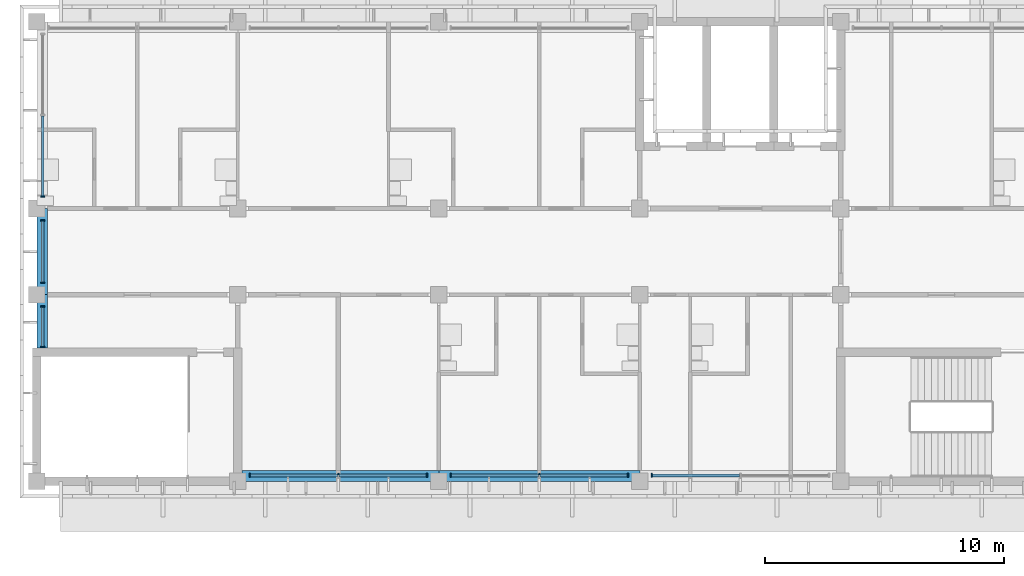
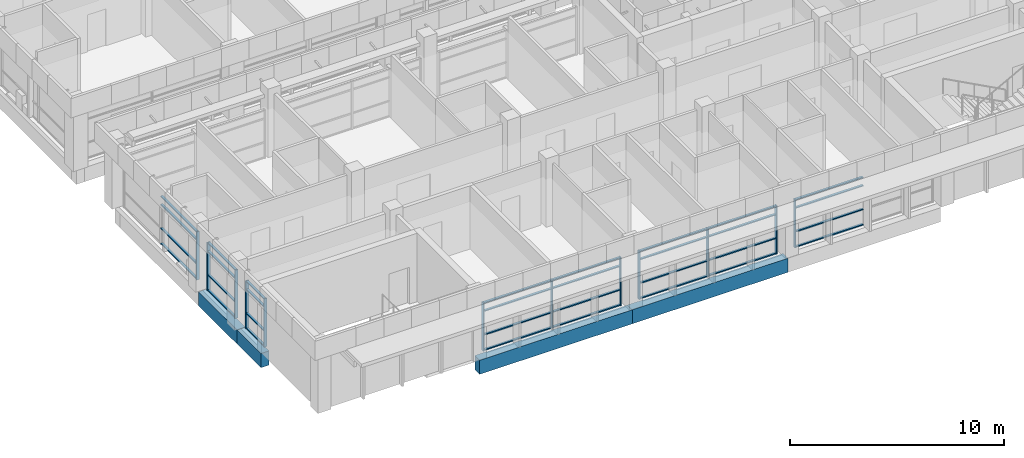
# One storey, part 2 of 71: 44 members, 4 beams, 6 elements without a shape of their own.
"""IFC4 building model written with IfcOpenShell, lengths in metres."""

from ifc_helpers import new_model, si_unit, direction, frame, origin, origin_2d, place, context, subcontext, project, spatial, rectangle, extrude, material, material_profile, profile_set, type_object, element, aggregate, save


model = new_model("IFC4")

# Units and contexts
model_context = context("Model", 3, precision=1e-05, world=origin(), true_north=direction((0.0, 1.0)))
body_context = subcontext(model_context, "Body", "Model", "MODEL_VIEW")
ifc_project = project(units=[si_unit("LENGTHUNIT", "METRE"), si_unit("AREAUNIT", "SQUARE_METRE"), si_unit("VOLUMEUNIT", "CUBIC_METRE"), si_unit("PLANEANGLEUNIT", "RADIAN"), si_unit("MASSUNIT", "GRAM", prefix="KILO")], contexts=[model_context])

# Site, building, storey
site_placement = place(None, origin())
site = spatial("IfcSite", under=ifc_project, at=site_placement, CompositionType="ELEMENT")
building_placement = place(site_placement, origin())
building = spatial("IfcBuilding", under=site, at=building_placement, Name="Bougainvillea Quay General Hospital", CompositionType="ELEMENT")
storey_placement = place(building_placement, frame((0.0, 0.0, 24.89990234375)))
storey = spatial("IfcBuildingStorey", under=building, at=storey_placement, Name="L05", CompositionType="ELEMENT", Elevation=24.89990234375)

# Curtain wall, member
ifc_material_1 = material(Name="Aluminium curtain wall system, powder-coated glazed", Category="aluminium")
curtain_wall_type_1 = type_object("IfcCurtainWallType", Name="Unitised curtain wall CW-3430", PredefinedType="NOTDEFINED", material=ifc_material_1)
curtain_wall_1_placement = place(storey_placement, origin())
curtain_wall_1 = element("IfcCurtainWall", 1, at=curtain_wall_1_placement, inside=storey, type_object=curtain_wall_type_1, Name="CW-4200 00", PredefinedType="NOTDEFINED")
ifc_material_2 = material(Name="Aluminium mullion, powder-coated charcoal", Category="aluminium")
ifc_material_profile_1 = material_profile(ifc_material_2, rectangle(XDim=0.159912109375, YDim=0.06005859375, at=origin_2d()))
ifc_profile_set_1 = profile_set([ifc_material_profile_1], Name="Aluminium mullion, powder-coated charcoal")
member_type_1 = type_object("IfcMemberType", Name="Curtain wall mullion 160x60", PredefinedType="MULLION", material=ifc_profile_set_1)
member_1_placement = place(storey_placement, frame((42.25, 129.5, 0.0), z_axis=(0.0, 0.0, 1.0), x_axis=(1.0, 0.0, 0.0)))
member_1 = element("IfcMember", 2, at=member_1_placement, type_object=member_type_1, Name="CW-4200 mullion 3", PredefinedType="MULLION", context=body_context, shape_type="SweptSolid", body=[
    extrude(rectangle(XDim=0.159912109375, YDim=0.06005859375, at=origin_2d()), origin(), (0.0, 0.0, 1.0), 2.75),
])

# Curtain wall, members
curtain_wall_type_2 = type_object("IfcCurtainWallType", Name="Unitised curtain wall CW-2660", PredefinedType="NOTDEFINED", material=ifc_material_1)
curtain_wall_2_placement = place(storey_placement, origin())
curtain_wall_2 = element("IfcCurtainWall", 3, at=curtain_wall_2_placement, inside=storey, type_object=curtain_wall_type_2, Name="CW-4200 01", PredefinedType="NOTDEFINED")
member_2_placement = place(storey_placement, frame((42.25, 128.5, 0.0), z_axis=(0.0, 0.0, 1.0), x_axis=(1.0, 0.0, 0.0)))
member_2 = element("IfcMember", 4, at=member_2_placement, type_object=member_type_1, Name="CW-4200 mullion 1", PredefinedType="MULLION", context=body_context, shape_type="SweptSolid", body=[
    extrude(rectangle(XDim=0.159912109375, YDim=0.06005859375, at=origin_2d()), origin(), (0.0, 0.0, 1.0), 2.75),
])
member_3_placement = place(storey_placement, frame((42.25, 125.89990234375, 0.0), z_axis=(0.0, 0.0, 1.0), x_axis=(1.0, 0.0, 0.0)))
member_3 = element("IfcMember", 5, at=member_3_placement, type_object=member_type_1, Name="CW-4200 mullion 2", PredefinedType="MULLION", context=body_context, shape_type="SweptSolid", body=[
    extrude(rectangle(XDim=0.159912109375, YDim=0.06005859375, at=origin_2d()), origin(), (0.0, 0.0, 1.0), 2.75),
])

curtain_wall_type_3 = type_object("IfcCurtainWallType", Name="Unitised curtain wall CW-1755", PredefinedType="NOTDEFINED", material=ifc_material_1)
curtain_wall_3_placement = place(storey_placement, origin())
curtain_wall_3 = element("IfcCurtainWall", 6, at=curtain_wall_3_placement, inside=storey, type_object=curtain_wall_type_3, Name="CW-4200 02", PredefinedType="NOTDEFINED")
member_4_placement = place(storey_placement, frame((42.25, 124.89990234375, 0.0), z_axis=(0.0, 0.0, 1.0), x_axis=(1.0, 0.0, 0.0)))
member_4 = element("IfcMember", 7, at=member_4_placement, type_object=member_type_1, Name="CW-4200 mullion 1", PredefinedType="MULLION", context=body_context, shape_type="SweptSolid", body=[
    extrude(rectangle(XDim=0.159912109375, YDim=0.06005859375, at=origin_2d()), origin(), (0.0, 0.0, 1.0), 2.75),
])
member_5_placement = place(storey_placement, frame((42.25, 123.205078125, 0.0), z_axis=(0.0, 0.0, 1.0), x_axis=(1.0, 0.0, 0.0)))
member_5 = element("IfcMember", 8, at=member_5_placement, type_object=member_type_1, Name="CW-4200 mullion 2", PredefinedType="MULLION", context=body_context, shape_type="SweptSolid", body=[
    extrude(rectangle(XDim=0.159912109375, YDim=0.06005859375, at=origin_2d()), origin(), (0.0, 0.0, 1.0), 2.75),
])

curtain_wall_type_4 = type_object("IfcCurtainWallType", Name="Unitised curtain wall CW-3730", PredefinedType="NOTDEFINED", material=ifc_material_1)
curtain_wall_4_placement = place(storey_placement, origin())
curtain_wall_4 = element("IfcCurtainWall", 9, at=curtain_wall_4_placement, inside=storey, type_object=curtain_wall_type_4, Name="CW-4200 00", PredefinedType="NOTDEFINED")
member_6_placement = place(storey_placement, frame((50.89990234375, 117.85009765625, 0.0), z_axis=(0.0, 0.0, 1.0), x_axis=(0.0, 1.0, 0.0)))
member_6 = element("IfcMember", 10, at=member_6_placement, type_object=member_type_1, Name="CW-4200 mullion 1", PredefinedType="MULLION", context=body_context, shape_type="SweptSolid", body=[
    extrude(rectangle(XDim=0.159912109375, YDim=0.06005859375, at=origin_2d()), origin(), (0.0, 0.0, 1.0), 2.75),
])
member_7_placement = place(storey_placement, frame((54.60009765625, 117.85009765625, 0.0), z_axis=(0.0, 0.0, 1.0), x_axis=(0.0, 1.0, 0.0)))
member_7 = element("IfcMember", 11, at=member_7_placement, type_object=member_type_1, Name="CW-4200 mullion 2", PredefinedType="MULLION", context=body_context, shape_type="SweptSolid", body=[
    extrude(rectangle(XDim=0.159912109375, YDim=0.06005859375, at=origin_2d()), origin(), (0.0, 0.0, 1.0), 2.75),
])
member_8_placement = place(storey_placement, frame((58.300048828125, 117.85009765625, 0.0), z_axis=(0.0, 0.0, 1.0), x_axis=(0.0, 1.0, 0.0)))
member_8 = element("IfcMember", 12, at=member_8_placement, type_object=member_type_1, Name="CW-4200 mullion 3", PredefinedType="MULLION", context=body_context, shape_type="SweptSolid", body=[
    extrude(rectangle(XDim=0.159912109375, YDim=0.06005859375, at=origin_2d()), origin(), (0.0, 0.0, 1.0), 2.75),
])

curtain_wall_5_placement = place(storey_placement, origin())
curtain_wall_5 = element("IfcCurtainWall", 13, at=curtain_wall_5_placement, inside=storey, type_object=curtain_wall_type_4, Name="CW-4200 01", PredefinedType="NOTDEFINED")
member_9_placement = place(storey_placement, frame((59.300048828125, 117.85009765625, 0.0), z_axis=(0.0, 0.0, 1.0), x_axis=(0.0, 1.0, 0.0)))
member_9 = element("IfcMember", 14, at=member_9_placement, type_object=member_type_1, Name="CW-4200 mullion 1", PredefinedType="MULLION", context=body_context, shape_type="SweptSolid", body=[
    extrude(rectangle(XDim=0.159912109375, YDim=0.06005859375, at=origin_2d()), origin(), (0.0, 0.0, 1.0), 2.75),
])
member_10_placement = place(storey_placement, frame((63.0, 117.85009765625, 0.0), z_axis=(0.0, 0.0, 1.0), x_axis=(0.0, 1.0, 0.0)))
member_10 = element("IfcMember", 15, at=member_10_placement, type_object=member_type_1, Name="CW-4200 mullion 2", PredefinedType="MULLION", context=body_context, shape_type="SweptSolid", body=[
    extrude(rectangle(XDim=0.159912109375, YDim=0.06005859375, at=origin_2d()), origin(), (0.0, 0.0, 1.0), 2.75),
])
member_11_placement = place(storey_placement, frame((66.699951171875, 117.85009765625, 0.0), z_axis=(0.0, 0.0, 1.0), x_axis=(0.0, 1.0, 0.0)))
member_11 = element("IfcMember", 16, at=member_11_placement, type_object=member_type_1, Name="CW-4200 mullion 3", PredefinedType="MULLION", context=body_context, shape_type="SweptSolid", body=[
    extrude(rectangle(XDim=0.159912109375, YDim=0.06005859375, at=origin_2d()), origin(), (0.0, 0.0, 1.0), 2.75),
])

# Curtain wall, member
curtain_wall_6_placement = place(storey_placement, origin())
curtain_wall_6 = element("IfcCurtainWall", 17, at=curtain_wall_6_placement, inside=storey, type_object=curtain_wall_type_4, Name="CW-4200 02", PredefinedType="NOTDEFINED")
member_12_placement = place(storey_placement, frame((67.699951171875, 117.85009765625, 0.0), z_axis=(0.0, 0.0, 1.0), x_axis=(0.0, 1.0, 0.0)))
member_12 = element("IfcMember", 18, at=member_12_placement, type_object=member_type_1, Name="CW-4200 mullion 1", PredefinedType="MULLION", context=body_context, shape_type="SweptSolid", body=[
    extrude(rectangle(XDim=0.159912109375, YDim=0.06005859375, at=origin_2d()), origin(), (0.0, 0.0, 1.0), 2.75),
])

# Member
ifc_material_3 = material(Name="Aluminium transom, powder-coated charcoal", Category="aluminium")
ifc_material_profile_2 = material_profile(ifc_material_3, rectangle(XDim=0.1201171875, YDim=0.06005859375, at=origin_2d()))
ifc_profile_set_2 = profile_set([ifc_material_profile_2], Name="Aluminium transom, powder-coated charcoal")
member_type_2 = type_object("IfcMemberType", Name="Curtain wall transom 120x60", PredefinedType="USERDEFINED", material=ifc_profile_set_2)
member_13_placement = place(storey_placement, frame((42.25, 132.8701171875, 0.030029296875), z_axis=(0.0, -1.0, 0.0), x_axis=(1.0, 0.0, 0.0)))
member_13 = element("IfcMember", 19, at=member_13_placement, type_object=member_type_2, Name="CW-4200 transom 2.1", ObjectType="TRANSOM", PredefinedType="USERDEFINED", context=body_context, shape_type="SweptSolid", body=[
    extrude(rectangle(XDim=0.1201171875, YDim=0.06005859375, at=origin_2d()), origin(), (0.0, 0.0, 1.0), 3.340087890625),
])

member_14_placement = place(storey_placement, frame((42.25, 132.8701171875, 0.900146484375), z_axis=(0.0, -1.0, 0.0), x_axis=(1.0, 0.0, 0.0)))
member_14 = element("IfcMember", 20, at=member_14_placement, type_object=member_type_2, Name="CW-4200 transom 2.2", ObjectType="TRANSOM", PredefinedType="USERDEFINED", context=body_context, shape_type="SweptSolid", body=[
    extrude(rectangle(XDim=0.1201171875, YDim=0.06005859375, at=origin_2d()), origin(), (0.0, 0.0, 1.0), 3.340087890625),
])

member_15_placement = place(storey_placement, frame((42.25, 132.8701171875, 2.25), z_axis=(0.0, -1.0, 0.0), x_axis=(1.0, 0.0, 0.0)))
member_15 = element("IfcMember", 21, at=member_15_placement, type_object=member_type_2, Name="CW-4200 transom 2.3", ObjectType="TRANSOM", PredefinedType="USERDEFINED", context=body_context, shape_type="SweptSolid", body=[
    extrude(rectangle(XDim=0.1201171875, YDim=0.06005859375, at=origin_2d()), origin(), (0.0, 0.0, 1.0), 3.340087890625),
])

member_16_placement = place(storey_placement, frame((42.25, 132.8701171875, 2.72021484375), z_axis=(0.0, -1.0, 0.0), x_axis=(1.0, 0.0, 0.0)))
member_16 = element("IfcMember", 22, at=member_16_placement, type_object=member_type_2, Name="CW-4200 transom 2.4", ObjectType="TRANSOM", PredefinedType="USERDEFINED", context=body_context, shape_type="SweptSolid", body=[
    extrude(rectangle(XDim=0.1201171875, YDim=0.06005859375, at=origin_2d()), origin(), (0.0, 0.0, 1.0), 3.340087890625),
])

aggregate(curtain_wall_1, [member_1, member_13, member_14, member_15, member_16])

member_17_placement = place(storey_placement, frame((42.25, 128.469970703125, 0.030029296875), z_axis=(0.0, -1.0, 0.0), x_axis=(1.0, 0.0, 0.0)))
member_17 = element("IfcMember", 23, at=member_17_placement, type_object=member_type_2, Name="CW-4200 transom 1.1", ObjectType="TRANSOM", PredefinedType="USERDEFINED", context=body_context, shape_type="SweptSolid", body=[
    extrude(rectangle(XDim=0.1201171875, YDim=0.06005859375, at=origin_2d()), origin(), (0.0, 0.0, 1.0), 2.5400390625),
])

member_18_placement = place(storey_placement, frame((42.25, 128.469970703125, 0.900146484375), z_axis=(0.0, -1.0, 0.0), x_axis=(1.0, 0.0, 0.0)))
member_18 = element("IfcMember", 24, at=member_18_placement, type_object=member_type_2, Name="CW-4200 transom 1.2", ObjectType="TRANSOM", PredefinedType="USERDEFINED", context=body_context, shape_type="SweptSolid", body=[
    extrude(rectangle(XDim=0.1201171875, YDim=0.06005859375, at=origin_2d()), origin(), (0.0, 0.0, 1.0), 2.5400390625),
])

member_19_placement = place(storey_placement, frame((42.25, 128.469970703125, 2.25), z_axis=(0.0, -1.0, 0.0), x_axis=(1.0, 0.0, 0.0)))
member_19 = element("IfcMember", 25, at=member_19_placement, type_object=member_type_2, Name="CW-4200 transom 1.3", ObjectType="TRANSOM", PredefinedType="USERDEFINED", context=body_context, shape_type="SweptSolid", body=[
    extrude(rectangle(XDim=0.1201171875, YDim=0.06005859375, at=origin_2d()), origin(), (0.0, 0.0, 1.0), 2.5400390625),
])

member_20_placement = place(storey_placement, frame((42.25, 128.469970703125, 2.72021484375), z_axis=(0.0, -1.0, 0.0), x_axis=(1.0, 0.0, 0.0)))
member_20 = element("IfcMember", 26, at=member_20_placement, type_object=member_type_2, Name="CW-4200 transom 1.4", ObjectType="TRANSOM", PredefinedType="USERDEFINED", context=body_context, shape_type="SweptSolid", body=[
    extrude(rectangle(XDim=0.1201171875, YDim=0.06005859375, at=origin_2d()), origin(), (0.0, 0.0, 1.0), 2.5400390625),
])

aggregate(curtain_wall_2, [member_2, member_3, member_17, member_18, member_19, member_20])

member_21_placement = place(storey_placement, frame((42.25, 124.8701171875, 0.030029296875), z_axis=(0.0, -1.0, 0.0), x_axis=(1.0, 0.0, 0.0)))
member_21 = element("IfcMember", 27, at=member_21_placement, type_object=member_type_2, Name="CW-4200 transom 1.1", ObjectType="TRANSOM", PredefinedType="USERDEFINED", context=body_context, shape_type="SweptSolid", body=[
    extrude(rectangle(XDim=0.1201171875, YDim=0.06005859375, at=origin_2d()), origin(), (0.0, 0.0, 1.0), 1.635009765625),
])

member_22_placement = place(storey_placement, frame((42.25, 124.8701171875, 0.900146484375), z_axis=(0.0, -1.0, 0.0), x_axis=(1.0, 0.0, 0.0)))
member_22 = element("IfcMember", 28, at=member_22_placement, type_object=member_type_2, Name="CW-4200 transom 1.2", ObjectType="TRANSOM", PredefinedType="USERDEFINED", context=body_context, shape_type="SweptSolid", body=[
    extrude(rectangle(XDim=0.1201171875, YDim=0.06005859375, at=origin_2d()), origin(), (0.0, 0.0, 1.0), 1.635009765625),
])

member_23_placement = place(storey_placement, frame((42.25, 124.8701171875, 2.25), z_axis=(0.0, -1.0, 0.0), x_axis=(1.0, 0.0, 0.0)))
member_23 = element("IfcMember", 29, at=member_23_placement, type_object=member_type_2, Name="CW-4200 transom 1.3", ObjectType="TRANSOM", PredefinedType="USERDEFINED", context=body_context, shape_type="SweptSolid", body=[
    extrude(rectangle(XDim=0.1201171875, YDim=0.06005859375, at=origin_2d()), origin(), (0.0, 0.0, 1.0), 1.635009765625),
])

member_24_placement = place(storey_placement, frame((42.25, 124.8701171875, 2.72021484375), z_axis=(0.0, -1.0, 0.0), x_axis=(1.0, 0.0, 0.0)))
member_24 = element("IfcMember", 30, at=member_24_placement, type_object=member_type_2, Name="CW-4200 transom 1.4", ObjectType="TRANSOM", PredefinedType="USERDEFINED", context=body_context, shape_type="SweptSolid", body=[
    extrude(rectangle(XDim=0.1201171875, YDim=0.06005859375, at=origin_2d()), origin(), (0.0, 0.0, 1.0), 1.635009765625),
])

aggregate(curtain_wall_3, [member_4, member_5, member_21, member_22, member_23, member_24])

member_25_placement = place(storey_placement, frame((50.929931640625, 117.85009765625, 0.030029296875), z_axis=(1.0, 0.0, 0.0), x_axis=(0.0, 1.0, 0.0)))
member_25 = element("IfcMember", 31, at=member_25_placement, type_object=member_type_2, Name="CW-4200 transom 1.1", ObjectType="TRANSOM", PredefinedType="USERDEFINED", context=body_context, shape_type="SweptSolid", body=[
    extrude(rectangle(XDim=0.1201171875, YDim=0.06005859375, at=origin_2d()), origin(), (0.0, 0.0, 1.0), 3.64013671875),
])

member_26_placement = place(storey_placement, frame((50.929931640625, 117.85009765625, 0.900146484375), z_axis=(1.0, 0.0, 0.0), x_axis=(0.0, 1.0, 0.0)))
member_26 = element("IfcMember", 32, at=member_26_placement, type_object=member_type_2, Name="CW-4200 transom 1.2", ObjectType="TRANSOM", PredefinedType="USERDEFINED", context=body_context, shape_type="SweptSolid", body=[
    extrude(rectangle(XDim=0.1201171875, YDim=0.06005859375, at=origin_2d()), origin(), (0.0, 0.0, 1.0), 3.64013671875),
])

member_27_placement = place(storey_placement, frame((50.929931640625, 117.85009765625, 2.25), z_axis=(1.0, 0.0, 0.0), x_axis=(0.0, 1.0, 0.0)))
member_27 = element("IfcMember", 33, at=member_27_placement, type_object=member_type_2, Name="CW-4200 transom 1.3", ObjectType="TRANSOM", PredefinedType="USERDEFINED", context=body_context, shape_type="SweptSolid", body=[
    extrude(rectangle(XDim=0.1201171875, YDim=0.06005859375, at=origin_2d()), origin(), (0.0, 0.0, 1.0), 3.64013671875),
])

member_28_placement = place(storey_placement, frame((50.929931640625, 117.85009765625, 2.72021484375), z_axis=(1.0, 0.0, 0.0), x_axis=(0.0, 1.0, 0.0)))
member_28 = element("IfcMember", 34, at=member_28_placement, type_object=member_type_2, Name="CW-4200 transom 1.4", ObjectType="TRANSOM", PredefinedType="USERDEFINED", context=body_context, shape_type="SweptSolid", body=[
    extrude(rectangle(XDim=0.1201171875, YDim=0.06005859375, at=origin_2d()), origin(), (0.0, 0.0, 1.0), 3.64013671875),
])

member_29_placement = place(storey_placement, frame((54.6298828125, 117.85009765625, 0.030029296875), z_axis=(1.0, 0.0, 0.0), x_axis=(0.0, 1.0, 0.0)))
member_29 = element("IfcMember", 35, at=member_29_placement, type_object=member_type_2, Name="CW-4200 transom 2.1", ObjectType="TRANSOM", PredefinedType="USERDEFINED", context=body_context, shape_type="SweptSolid", body=[
    extrude(rectangle(XDim=0.1201171875, YDim=0.06005859375, at=origin_2d()), origin(), (0.0, 0.0, 1.0), 3.64013671875),
])

member_30_placement = place(storey_placement, frame((54.6298828125, 117.85009765625, 0.900146484375), z_axis=(1.0, 0.0, 0.0), x_axis=(0.0, 1.0, 0.0)))
member_30 = element("IfcMember", 36, at=member_30_placement, type_object=member_type_2, Name="CW-4200 transom 2.2", ObjectType="TRANSOM", PredefinedType="USERDEFINED", context=body_context, shape_type="SweptSolid", body=[
    extrude(rectangle(XDim=0.1201171875, YDim=0.06005859375, at=origin_2d()), origin(), (0.0, 0.0, 1.0), 3.64013671875),
])

member_31_placement = place(storey_placement, frame((54.6298828125, 117.85009765625, 2.25), z_axis=(1.0, 0.0, 0.0), x_axis=(0.0, 1.0, 0.0)))
member_31 = element("IfcMember", 37, at=member_31_placement, type_object=member_type_2, Name="CW-4200 transom 2.3", ObjectType="TRANSOM", PredefinedType="USERDEFINED", context=body_context, shape_type="SweptSolid", body=[
    extrude(rectangle(XDim=0.1201171875, YDim=0.06005859375, at=origin_2d()), origin(), (0.0, 0.0, 1.0), 3.64013671875),
])

member_32_placement = place(storey_placement, frame((54.6298828125, 117.85009765625, 2.72021484375), z_axis=(1.0, 0.0, 0.0), x_axis=(0.0, 1.0, 0.0)))
member_32 = element("IfcMember", 38, at=member_32_placement, type_object=member_type_2, Name="CW-4200 transom 2.4", ObjectType="TRANSOM", PredefinedType="USERDEFINED", context=body_context, shape_type="SweptSolid", body=[
    extrude(rectangle(XDim=0.1201171875, YDim=0.06005859375, at=origin_2d()), origin(), (0.0, 0.0, 1.0), 3.64013671875),
])

aggregate(curtain_wall_4, [member_6, member_7, member_8, member_25, member_26, member_27, member_28, member_29, member_30, member_31, member_32])

member_33_placement = place(storey_placement, frame((59.330078125, 117.85009765625, 0.030029296875), z_axis=(1.0, 0.0, 0.0), x_axis=(0.0, 1.0, 0.0)))
member_33 = element("IfcMember", 39, at=member_33_placement, type_object=member_type_2, Name="CW-4200 transom 1.1", ObjectType="TRANSOM", PredefinedType="USERDEFINED", context=body_context, shape_type="SweptSolid", body=[
    extrude(rectangle(XDim=0.1201171875, YDim=0.06005859375, at=origin_2d()), origin(), (0.0, 0.0, 1.0), 3.639892578125),
])

member_34_placement = place(storey_placement, frame((59.330078125, 117.85009765625, 0.900146484375), z_axis=(1.0, 0.0, 0.0), x_axis=(0.0, 1.0, 0.0)))
member_34 = element("IfcMember", 40, at=member_34_placement, type_object=member_type_2, Name="CW-4200 transom 1.2", ObjectType="TRANSOM", PredefinedType="USERDEFINED", context=body_context, shape_type="SweptSolid", body=[
    extrude(rectangle(XDim=0.1201171875, YDim=0.06005859375, at=origin_2d()), origin(), (0.0, 0.0, 1.0), 3.639892578125),
])

member_35_placement = place(storey_placement, frame((59.330078125, 117.85009765625, 2.25), z_axis=(1.0, 0.0, 0.0), x_axis=(0.0, 1.0, 0.0)))
member_35 = element("IfcMember", 41, at=member_35_placement, type_object=member_type_2, Name="CW-4200 transom 1.3", ObjectType="TRANSOM", PredefinedType="USERDEFINED", context=body_context, shape_type="SweptSolid", body=[
    extrude(rectangle(XDim=0.1201171875, YDim=0.06005859375, at=origin_2d()), origin(), (0.0, 0.0, 1.0), 3.639892578125),
])

member_36_placement = place(storey_placement, frame((59.330078125, 117.85009765625, 2.72021484375), z_axis=(1.0, 0.0, 0.0), x_axis=(0.0, 1.0, 0.0)))
member_36 = element("IfcMember", 42, at=member_36_placement, type_object=member_type_2, Name="CW-4200 transom 1.4", ObjectType="TRANSOM", PredefinedType="USERDEFINED", context=body_context, shape_type="SweptSolid", body=[
    extrude(rectangle(XDim=0.1201171875, YDim=0.06005859375, at=origin_2d()), origin(), (0.0, 0.0, 1.0), 3.639892578125),
])

member_37_placement = place(storey_placement, frame((63.030029296875, 117.85009765625, 0.030029296875), z_axis=(1.0, 0.0, 0.0), x_axis=(0.0, 1.0, 0.0)))
member_37 = element("IfcMember", 43, at=member_37_placement, type_object=member_type_2, Name="CW-4200 transom 2.1", ObjectType="TRANSOM", PredefinedType="USERDEFINED", context=body_context, shape_type="SweptSolid", body=[
    extrude(rectangle(XDim=0.1201171875, YDim=0.06005859375, at=origin_2d()), origin(), (0.0, 0.0, 1.0), 3.639892578125),
])

member_38_placement = place(storey_placement, frame((63.030029296875, 117.85009765625, 0.900146484375), z_axis=(1.0, 0.0, 0.0), x_axis=(0.0, 1.0, 0.0)))
member_38 = element("IfcMember", 44, at=member_38_placement, type_object=member_type_2, Name="CW-4200 transom 2.2", ObjectType="TRANSOM", PredefinedType="USERDEFINED", context=body_context, shape_type="SweptSolid", body=[
    extrude(rectangle(XDim=0.1201171875, YDim=0.06005859375, at=origin_2d()), origin(), (0.0, 0.0, 1.0), 3.639892578125),
])

member_39_placement = place(storey_placement, frame((63.030029296875, 117.85009765625, 2.25), z_axis=(1.0, 0.0, 0.0), x_axis=(0.0, 1.0, 0.0)))
member_39 = element("IfcMember", 45, at=member_39_placement, type_object=member_type_2, Name="CW-4200 transom 2.3", ObjectType="TRANSOM", PredefinedType="USERDEFINED", context=body_context, shape_type="SweptSolid", body=[
    extrude(rectangle(XDim=0.1201171875, YDim=0.06005859375, at=origin_2d()), origin(), (0.0, 0.0, 1.0), 3.639892578125),
])

member_40_placement = place(storey_placement, frame((63.030029296875, 117.85009765625, 2.72021484375), z_axis=(1.0, 0.0, 0.0), x_axis=(0.0, 1.0, 0.0)))
member_40 = element("IfcMember", 46, at=member_40_placement, type_object=member_type_2, Name="CW-4200 transom 2.4", ObjectType="TRANSOM", PredefinedType="USERDEFINED", context=body_context, shape_type="SweptSolid", body=[
    extrude(rectangle(XDim=0.1201171875, YDim=0.06005859375, at=origin_2d()), origin(), (0.0, 0.0, 1.0), 3.639892578125),
])

aggregate(curtain_wall_5, [member_9, member_10, member_11, member_33, member_34, member_35, member_36, member_37, member_38, member_39, member_40])

member_41_placement = place(storey_placement, frame((67.72998046875, 117.85009765625, 0.030029296875), z_axis=(1.0, 0.0, 0.0), x_axis=(0.0, 1.0, 0.0)))
member_41 = element("IfcMember", 47, at=member_41_placement, type_object=member_type_2, Name="CW-4200 transom 1.1", ObjectType="TRANSOM", PredefinedType="USERDEFINED", context=body_context, shape_type="SweptSolid", body=[
    extrude(rectangle(XDim=0.1201171875, YDim=0.06005859375, at=origin_2d()), origin(), (0.0, 0.0, 1.0), 3.64013671875),
])

member_42_placement = place(storey_placement, frame((67.72998046875, 117.85009765625, 0.900146484375), z_axis=(1.0, 0.0, 0.0), x_axis=(0.0, 1.0, 0.0)))
member_42 = element("IfcMember", 48, at=member_42_placement, type_object=member_type_2, Name="CW-4200 transom 1.2", ObjectType="TRANSOM", PredefinedType="USERDEFINED", context=body_context, shape_type="SweptSolid", body=[
    extrude(rectangle(XDim=0.1201171875, YDim=0.06005859375, at=origin_2d()), origin(), (0.0, 0.0, 1.0), 3.64013671875),
])

member_43_placement = place(storey_placement, frame((67.72998046875, 117.85009765625, 2.25), z_axis=(1.0, 0.0, 0.0), x_axis=(0.0, 1.0, 0.0)))
member_43 = element("IfcMember", 49, at=member_43_placement, type_object=member_type_2, Name="CW-4200 transom 1.3", ObjectType="TRANSOM", PredefinedType="USERDEFINED", context=body_context, shape_type="SweptSolid", body=[
    extrude(rectangle(XDim=0.1201171875, YDim=0.06005859375, at=origin_2d()), origin(), (0.0, 0.0, 1.0), 3.64013671875),
])

member_44_placement = place(storey_placement, frame((67.72998046875, 117.85009765625, 2.72021484375), z_axis=(1.0, 0.0, 0.0), x_axis=(0.0, 1.0, 0.0)))
member_44 = element("IfcMember", 50, at=member_44_placement, type_object=member_type_2, Name="CW-4200 transom 1.4", ObjectType="TRANSOM", PredefinedType="USERDEFINED", context=body_context, shape_type="SweptSolid", body=[
    extrude(rectangle(XDim=0.1201171875, YDim=0.06005859375, at=origin_2d()), origin(), (0.0, 0.0, 1.0), 3.64013671875),
])

aggregate(curtain_wall_6, [member_12, member_41, member_42, member_43, member_44])

# Beams
ifc_material_4 = material(Name="Concrete C40", Category="concrete")
ifc_material_profile_3 = material_profile(ifc_material_4, rectangle(XDim=0.449951171875, YDim=0.800048828125, at=origin_2d()))
ifc_profile_set_3 = profile_set([ifc_material_profile_3], Name="Concrete C40")
beam_type = type_object("IfcBeamType", Name="RC BEAM 450x800 C40", PredefinedType="BEAM", material=ifc_profile_set_3)
beam_1_placement = place(storey_placement, frame((42.22509765625, 129.0, -0.699951171875), z_axis=(0.0, -1.0, 0.0), x_axis=(1.0, 0.0, 0.0)))
element("IfcBeam", 51, at=beam_1_placement, inside=storey, type_object=beam_type, Name="Edge beam L05", PredefinedType="BEAM", context=body_context, shape_type="SweptSolid", body=[
    extrude(rectangle(XDim=0.449951171875, YDim=0.800048828125, at=origin_2d()), origin(), (0.0, 0.0, 1.0), 3.60009765625),
])
beam_2_placement = place(storey_placement, frame((42.22509765625, 125.39990234375, -0.699951171875), z_axis=(0.0, -1.0, 0.0), x_axis=(1.0, 0.0, 0.0)))
element("IfcBeam", 52, at=beam_2_placement, inside=storey, type_object=beam_type, Name="Edge beam L05", PredefinedType="BEAM", context=body_context, shape_type="SweptSolid", body=[
    extrude(rectangle(XDim=0.449951171875, YDim=0.800048828125, at=origin_2d()), origin(), (0.0, 0.0, 1.0), 2.224853515625),
])
beam_3_placement = place(storey_placement, frame((50.574951171875, 117.824951171875, -0.699951171875), z_axis=(1.0, 0.0, 0.0), x_axis=(0.0, 1.0, 0.0)))
element("IfcBeam", 53, at=beam_3_placement, inside=storey, type_object=beam_type, Name="Edge beam L05", PredefinedType="BEAM", context=body_context, shape_type="SweptSolid", body=[
    extrude(rectangle(XDim=0.449951171875, YDim=0.800048828125, at=origin_2d()), origin(), (0.0, 0.0, 1.0), 8.22509765625),
])
beam_4_placement = place(storey_placement, frame((58.800048828125, 117.824951171875, -0.699951171875), z_axis=(1.0, 0.0, 0.0), x_axis=(0.0, 1.0, 0.0)))
element("IfcBeam", 54, at=beam_4_placement, inside=storey, type_object=beam_type, Name="Edge beam L05", PredefinedType="BEAM", context=body_context, shape_type="SweptSolid", body=[
    extrude(rectangle(XDim=0.449951171875, YDim=0.800048828125, at=origin_2d()), origin(), (0.0, 0.0, 1.0), 8.39990234375),
])

save(model, "model.ifc")
